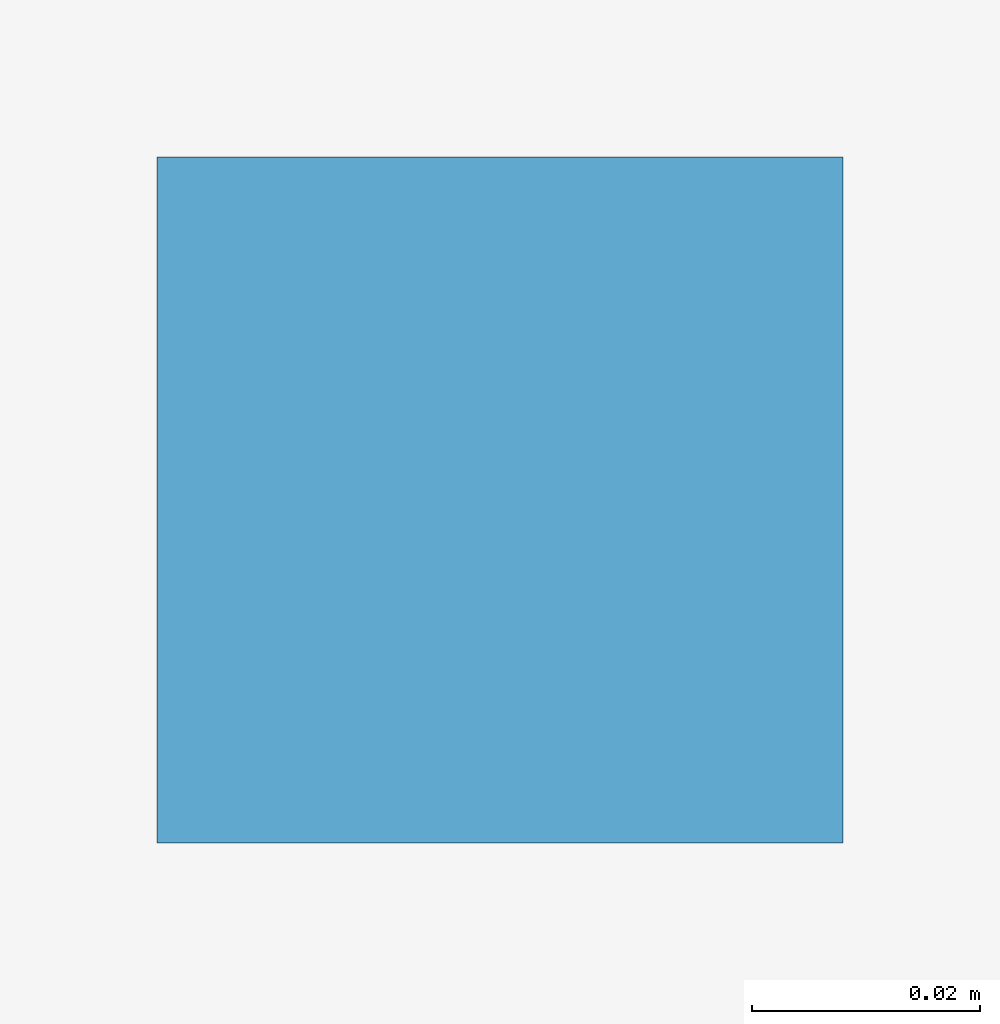
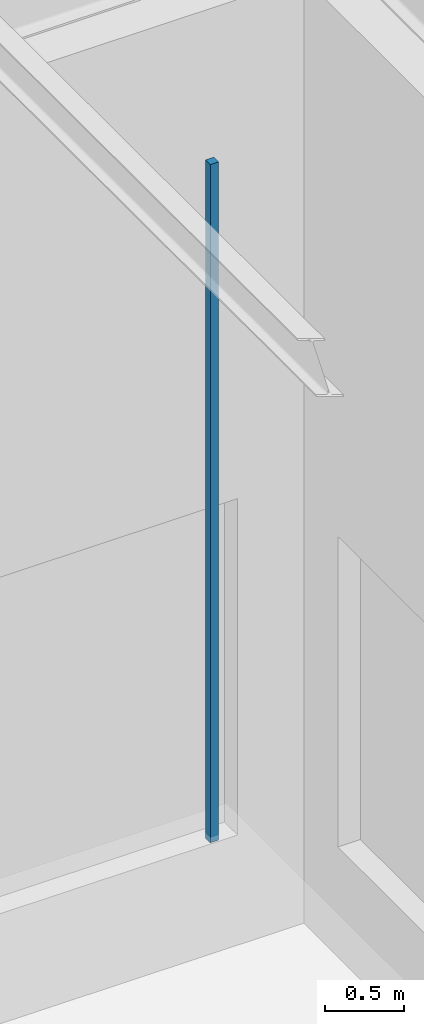
# One storey, part 109 of 138: 1 discrete accessory.
"""IFC4 building model written with IfcOpenShell, lengths in metres."""

from ifc_helpers import new_model, si_unit, direction, frame, origin, origin_2d, place, context, subcontext, project, spatial, rectangle, extrude, material, type_object, element, save


model = new_model("IFC4")

# Units and contexts
model_context = context("Model", 3, precision=1e-05, world=origin(), true_north=direction((0.0, 1.0)))
body_context = subcontext(model_context, "Body", "Model", "MODEL_VIEW")
ifc_project = project(units=[si_unit("LENGTHUNIT", "METRE"), si_unit("AREAUNIT", "SQUARE_METRE"), si_unit("VOLUMEUNIT", "CUBIC_METRE"), si_unit("PLANEANGLEUNIT", "RADIAN"), si_unit("MASSUNIT", "GRAM", prefix="KILO")], contexts=[model_context])

# Site, building, storey
site_placement = place(None, origin())
site = spatial("IfcSite", under=ifc_project, at=site_placement, CompositionType="ELEMENT")
building_placement = place(site_placement, origin())
building = spatial("IfcBuilding", under=site, at=building_placement, Name="Sundkrona Museum", CompositionType="ELEMENT")
storey_placement = place(building_placement, frame((0.0, 0.0, 9.60009765625)))
storey = spatial("IfcBuildingStorey", under=building, at=storey_placement, Name="L02", CompositionType="ELEMENT", Elevation=9.60009765625)

# Discrete accessory
ifc_material = material(Name="Stainless Steel EN 1.4404 Cleat", Category="steel")
discrete_accessory_type = type_object("IfcDiscreteAccessoryType", Name="BRK-FIN-01", PredefinedType="BRACKET", material=ifc_material)
discrete_accessory_placement = place(storey_placement, frame((77.75, 111.550048828125, 2.5498046875), z_axis=(0.0, 0.0, 1.0), x_axis=(1.0, 0.0, 0.0)))
element("IfcDiscreteAccessory", 1, at=discrete_accessory_placement, inside=storey, type_object=discrete_accessory_type, Name="L02 Tapestry and Textile Gallery Ceiling Hanger 3", PredefinedType="BRACKET", context=body_context, shape_type="SweptSolid", body=[
    extrude(rectangle(XDim=0.06005859375, YDim=0.06005859375, at=origin_2d()), origin(), (0.0, 0.0, 1.0), 5.239990234375),
])

save(model, "model.ifc")
